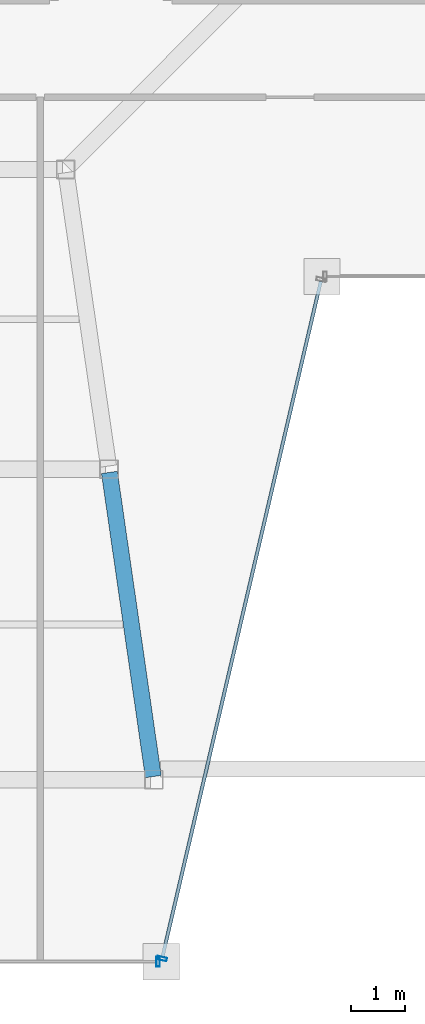
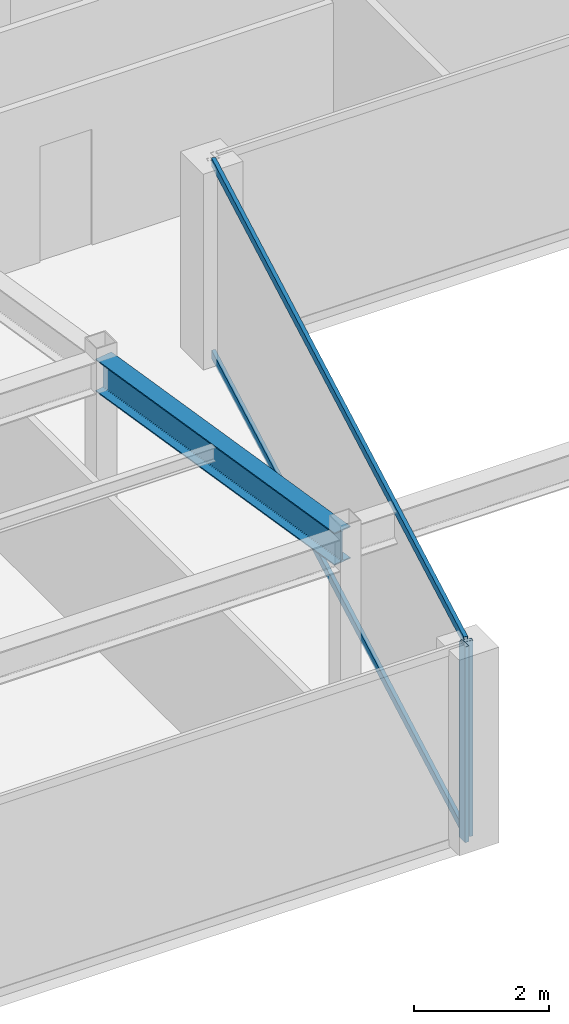
# One storey, part 6 of 32: 4 members, 1 beam, 2 elements without a shape of their own.
"""IFC4 building model written with IfcOpenShell, lengths in metres."""

from ifc_helpers import new_model, si_unit, direction, frame, origin, origin_2d, place, context, subcontext, project, spatial, hollow_rectangle, i_section, extrude, material, material_profile, profile_set, type_object, element, aggregate, save


model = new_model("IFC4")

# Units and contexts
model_context = context("Model", 3, precision=1e-05, world=origin(), true_north=direction((0.0, 1.0)))
body_context = subcontext(model_context, "Body", "Model", "MODEL_VIEW")
ifc_project = project(units=[si_unit("LENGTHUNIT", "METRE"), si_unit("AREAUNIT", "SQUARE_METRE"), si_unit("VOLUMEUNIT", "CUBIC_METRE"), si_unit("PLANEANGLEUNIT", "RADIAN"), si_unit("MASSUNIT", "GRAM", prefix="KILO")], contexts=[model_context])

# Site, building, storey
site_placement = place(None, origin())
site = spatial("IfcSite", under=ifc_project, at=site_placement, CompositionType="ELEMENT")
building_placement = place(site_placement, origin())
building = spatial("IfcBuilding", under=site, at=building_placement, Name="Saevonmaru Cultural Tower", CompositionType="ELEMENT")
storey_placement = place(building_placement, frame((0.0, 0.0, 268.60009765625)))
storey = spatial("IfcBuildingStorey", under=building, at=storey_placement, Name="L63", CompositionType="ELEMENT", Elevation=268.60009765625)

# Beam
ifc_material_1 = material(Name="Steel SM355", Category="steel")
ifc_material_profile_1 = material_profile(ifc_material_1, i_section(OverallWidth=0.300048828125, OverallDepth=0.587890625, WebThickness=0.011962890625, FlangeThickness=0.02001953125, FilletRadius=0.02392578125, at=origin_2d()), Name="H-588x300x12x20")
ifc_profile_set_1 = profile_set([ifc_material_profile_1], Name="Steel SM355")
beam_type = type_object("IfcBeamType", Name="BM-G-H588", PredefinedType="BEAM", material=ifc_profile_set_1)
beam_placement = place(storey_placement, frame((20.4453125, 26.259521484375, 3.255859375), z_axis=(-0.142826510921, 0.989747739466, 0.0), x_axis=(-0.989747739466, -0.142826510921, 0.0)))
element("IfcBeam", 1, at=beam_placement, inside=storey, type_object=beam_type, Name="L63 West Atrium Girder 1", PredefinedType="BEAM", context=body_context, shape_type="SweptSolid", body=[
    extrude(i_section(OverallWidth=0.300048828125, OverallDepth=0.587890625, WebThickness=0.011962890625, FlangeThickness=0.02001953125, FilletRadius=0.02392578125, at=origin_2d()), origin(), (0.0, 0.0, 1.0), 5.739990234375),
])

# Curtain wall, member
ifc_material_2 = material(Name="Satin Bronze Anodised Aluminium", Category="aluminium")
curtain_wall_type = type_object("IfcCurtainWallType", Name="CW-TYP-B", PredefinedType="NOTDEFINED", material=ifc_material_2)
curtain_wall_1_placement = place(storey_placement, origin())
curtain_wall_1 = element("IfcCurtainWall", 2, at=curtain_wall_1_placement, inside=storey, type_object=curtain_wall_type, Name="L63 Unitised Curtain Wall E2", PredefinedType="NOTDEFINED")
ifc_material_profile_2 = material_profile(ifc_material_2, hollow_rectangle(XDim=0.06494140625, YDim=0.179931640625, WallThickness=0.00390625, at=origin_2d()), Name="ALU-MULL-180x65x4")
ifc_profile_set_2 = profile_set([ifc_material_profile_2], Name="Satin Bronze Anodised Aluminium")
member_type_1 = type_object("IfcMemberType", Name="ML-CW-180x65", PredefinedType="MULLION", material=ifc_profile_set_2)
member_1_placement = place(storey_placement, frame((20.53564453125, 22.800048828125, 0.0), z_axis=(0.0, 0.0, 1.0), x_axis=(1.0, 0.0, 0.0)))
member_1 = element("IfcMember", 3, at=member_1_placement, type_object=member_type_1, Name="CW-TW-L63-E2 mullion 2", PredefinedType="MULLION", context=body_context, shape_type="SweptSolid", body=[
    extrude(hollow_rectangle(XDim=0.06494140625, YDim=0.179931640625, WallThickness=0.00390625, at=origin_2d()), origin(), (0.0, 0.0, 1.0), 3.5498046875),
])
aggregate(curtain_wall_1, [member_1])

# Curtain wall, members
curtain_wall_2_placement = place(storey_placement, origin())
curtain_wall_2 = element("IfcCurtainWall", 4, at=curtain_wall_2_placement, inside=storey, type_object=curtain_wall_type, Name="L63 Unitised Curtain Wall E3", PredefinedType="NOTDEFINED")
member_2_placement = place(storey_placement, frame((20.609375, 22.8583984375, 0.0), z_axis=(0.0, 0.0, 1.0), x_axis=(0.228189509449, 0.973616735568, 0.0)))
member_2 = element("IfcMember", 5, at=member_2_placement, type_object=member_type_1, Name="CW-TW-L63-E3 mullion 1", PredefinedType="MULLION", context=body_context, shape_type="SweptSolid", body=[
    extrude(hollow_rectangle(XDim=0.06494140625, YDim=0.179931640625, WallThickness=0.00390625, at=origin_2d()), origin(), (0.0, 0.0, 1.0), 3.5498046875),
])
ifc_material_profile_3 = material_profile(ifc_material_2, hollow_rectangle(XDim=0.06494140625, YDim=0.14990234375, WallThickness=0.00390625, at=origin_2d()), Name="ALU-TRAN-150x65x4")
ifc_profile_set_3 = profile_set([ifc_material_profile_3], Name="Satin Bronze Anodised Aluminium")
member_type_2 = type_object("IfcMemberType", Name="TR-CW-150x65", PredefinedType="USERDEFINED", material=ifc_profile_set_3)
member_3_placement = place(storey_placement, frame((20.61669921875, 22.89013671875, 0.032470703125), z_axis=(0.228189927903, 0.973616637493, 0.0), x_axis=(-0.973616637493, 0.228189927903, 0.0)))
member_3 = element("IfcMember", 6, at=member_3_placement, type_object=member_type_2, Name="CW-TW-L63-E3 transom 1.1", ObjectType="TRANSOM", PredefinedType="USERDEFINED", context=body_context, shape_type="SweptSolid", body=[
    extrude(hollow_rectangle(XDim=0.06494140625, YDim=0.14990234375, WallThickness=0.00390625, at=origin_2d()), origin(), (0.0, 0.0, 1.0), 12.9619140625),
])
member_4_placement = place(storey_placement, frame((20.61669921875, 22.89013671875, 3.517333984375), z_axis=(0.228189927903, 0.973616637493, 0.0), x_axis=(-0.973616637493, 0.228189927903, 0.0)))
member_4 = element("IfcMember", 7, at=member_4_placement, type_object=member_type_2, Name="CW-TW-L63-E3 transom 1.2", ObjectType="TRANSOM", PredefinedType="USERDEFINED", context=body_context, shape_type="SweptSolid", body=[
    extrude(hollow_rectangle(XDim=0.06494140625, YDim=0.14990234375, WallThickness=0.00390625, at=origin_2d()), origin(), (0.0, 0.0, 1.0), 12.9619140625),
])
aggregate(curtain_wall_2, [member_2, member_3, member_4])

save(model, "model.ifc")
